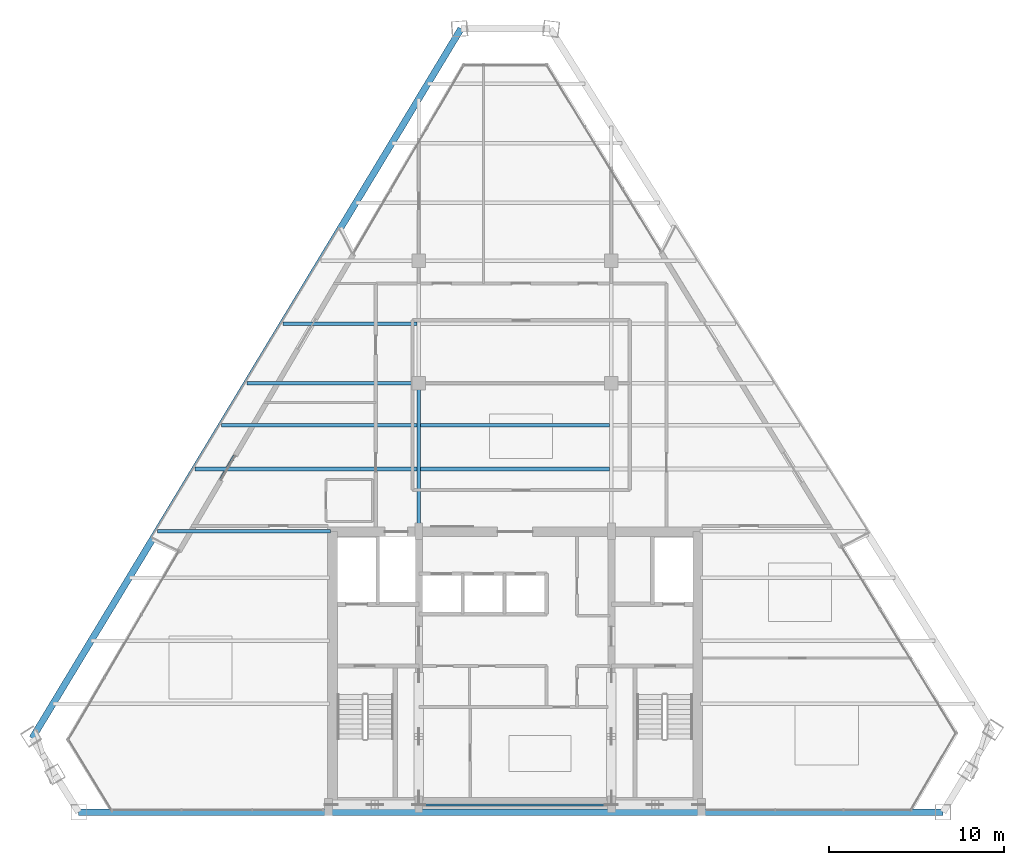
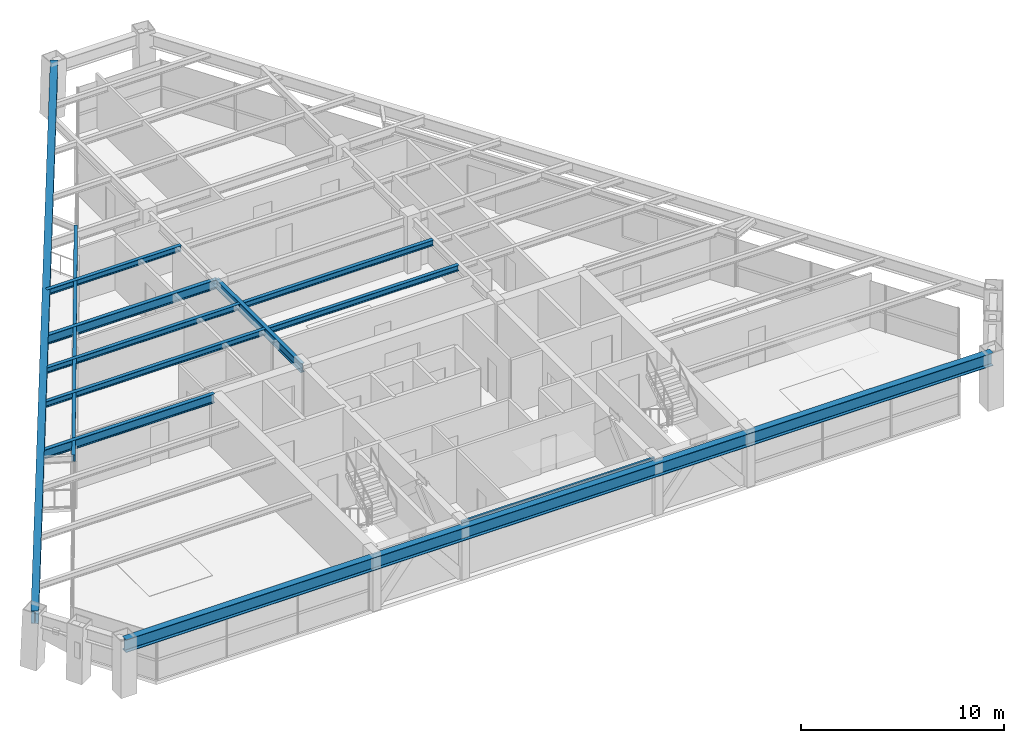
# One storey, part 3 of 13: 12 beams.
"""IFC4 building model written with IfcOpenShell, lengths in metres."""

import ifcopenshell
import ifcopenshell.guid

model = None  # the IFC model being written
_history = None  # IfcOwnerHistory: only IFC2X3 demands one
_inside = {}  # id of a spatial element -> (the spatial element, [elements in it])
_under = {}  # id of a project, library or spatial element -> (it, [spatial elements below it])
_declared = {}  # id of a project -> (the project, [libraries it declares])
_typed = {}  # id of a type object -> (the type object, [elements of that type])
_made_of = {}  # id of a material, layer set ... -> (it, [elements and type objects made of it])


def new_model(schema):
    """Start an empty IFC model of exactly this schema.

    Asked for "IFC4X3", IfcOpenShell would pick the latest addendum, in which some entities
    have other attributes; the version numbers below select the first issue.
    IFC2X3 requires an IfcOwnerHistory on every rooted entity: one is made here for all.
    """
    global model, _history
    if schema == "IFC4X3":
        model = ifcopenshell.file(schema_version=(4, 3, 0, 0))
    else:
        model = ifcopenshell.file(schema=schema)
    _inside.clear()
    _under.clear()
    _declared.clear()
    _typed.clear()
    _made_of.clear()
    _history = None
    if model.schema == "IFC2X3":
        org = make("IfcOrganization", Name="unknown")
        user = make(
            "IfcPersonAndOrganization",
            ThePerson=make("IfcPerson", FamilyName="unknown"),
            TheOrganization=org,
        )
        app = make(
            "IfcApplication",
            ApplicationDeveloper=org,
            Version="unknown",
            ApplicationFullName="unknown",
            ApplicationIdentifier="unknown",
        )
        _history = make(
            "IfcOwnerHistory",
            OwningUser=user,
            OwningApplication=app,
            ChangeAction="ADDED",
            CreationDate=0,
        )
    return model


def make(cls, **values):
    """One entity of the class cls with the attributes given. An attribute that is None is left unset."""
    return model.create_entity(
        cls, **{name: value for name, value in values.items() if value is not None}
    )


def rooted(cls, **values):
    """An entity with a GlobalId (a new one), such as an element, a storey or a relation."""
    return make(cls, GlobalId=ifcopenshell.guid.new(), OwnerHistory=_history, **values)


def si_unit(unit_type, name, prefix=None):
    """IfcSIUnit, for example si_unit("LENGTHUNIT", "METRE", prefix="MILLI")."""
    return make("IfcSIUnit", UnitType=unit_type, Prefix=prefix, Name=name)


def assignment(units):
    """IfcUnitAssignment: the units of a project."""
    return None if units is None else make("IfcUnitAssignment", Units=units)


def point(xyz):
    """IfcCartesianPoint."""
    return None if xyz is None else make("IfcCartesianPoint", Coordinates=xyz)


def direction(xyz):
    """IfcDirection."""
    return None if xyz is None else make("IfcDirection", DirectionRatios=xyz)


def frame(location, z_axis=None, x_axis=None):
    """IfcAxis2Placement3D, a coordinate frame: its origin and axes. An axis left out is left unset."""
    return make(
        "IfcAxis2Placement3D",
        Location=point(location),
        Axis=direction(z_axis),
        RefDirection=direction(x_axis),
    )


def frame_2d(location, x_axis=None):
    """IfcAxis2Placement2D, a coordinate frame in the plane: its origin and x axis."""
    return make(
        "IfcAxis2Placement2D", Location=point(location), RefDirection=direction(x_axis)
    )


def origin():
    """The frame at (0, 0, 0) with its axes left unset."""
    return frame((0.0, 0.0, 0.0))


def origin_2d():
    """The frame at (0, 0) in the plane with its x axis left unset."""
    return frame_2d((0.0, 0.0))


def place(relative_to, where):
    """IfcLocalPlacement: puts the frame where relative to a parent placement (None: the world)."""
    return make(
        "IfcLocalPlacement", PlacementRelTo=relative_to, RelativePlacement=where
    )


def context(
    kind, dimensions, precision=None, world=None, true_north=None, identifier=None
):
    """IfcGeometricRepresentationContext, for example the 3D "Model" context."""
    return make(
        "IfcGeometricRepresentationContext",
        ContextIdentifier=identifier,
        ContextType=kind,
        CoordinateSpaceDimension=dimensions,
        Precision=precision,
        WorldCoordinateSystem=world,
        TrueNorth=true_north,
    )


def subcontext(parent, identifier, kind, view, scale=None):
    """IfcGeometricRepresentationSubContext, for example "Body" below "Model"."""
    return make(
        "IfcGeometricRepresentationSubContext",
        ContextIdentifier=identifier,
        ContextType=kind,
        ParentContext=parent,
        TargetScale=scale,
        TargetView=view,
    )


def project(units=None, contexts=None):
    """IfcProject with its units and contexts."""
    return rooted(
        "IfcProject",
        Name="project",
        RepresentationContexts=contexts,
        UnitsInContext=assignment(units),
    )


def spatial(cls, under=None, at=None, **own):
    """A site, building, storey or space (cls), placed at a placement, below another one or the project."""
    s = rooted(cls, ObjectPlacement=at, **own)
    if under is not None:
        _under.setdefault(under.id(), (under, []))[1].append(s)
    return s


def profile(cls, at=None, kind="AREA", **sizes):
    """A parametric profile (cls). Its sizes go by their IFC names, for example OverallWidth=200.0."""
    return make(cls, ProfileType=kind, Position=at, **sizes)


def i_section(**sizes):
    """IfcIShapeProfileDef."""
    return profile("IfcIShapeProfileDef", **sizes)


def extrude(swept, where, along, depth):
    """IfcExtrudedAreaSolid: the profile swept, set in the frame where, extruded along a direction by depth."""
    return make(
        "IfcExtrudedAreaSolid",
        SweptArea=swept,
        Position=where,
        ExtrudedDirection=direction(along),
        Depth=depth,
    )


def shape(context_of_items, identifier, shape_type, items):
    """IfcShapeRepresentation: the items that make up one representation, for example the "Body"."""
    return make(
        "IfcShapeRepresentation",
        ContextOfItems=context_of_items,
        RepresentationIdentifier=identifier,
        RepresentationType=shape_type,
        Items=items,
    )


def source(mapping_origin, context_of_items, identifier, shape_type, items):
    """IfcRepresentationMap: a shape defined once, which mapped items show again and again."""
    return make(
        "IfcRepresentationMap",
        MappingOrigin=mapping_origin,
        MappedRepresentation=shape(context_of_items, identifier, shape_type, items),
    )


def transform(
    local_origin,
    x_axis=None,
    y_axis=None,
    z_axis=None,
    scale=None,
    scale2=None,
    scale3=None,
    uniform=True,
):
    """IfcCartesianTransformationOperator3D, or its non-uniform kind. x_axis, y_axis, z_axis: its Axis1, 2, 3."""
    if uniform:
        return make(
            "IfcCartesianTransformationOperator3D",
            Axis1=direction(x_axis),
            Axis2=direction(y_axis),
            LocalOrigin=point(local_origin),
            Scale=scale,
            Axis3=direction(z_axis),
        )
    return make(
        "IfcCartesianTransformationOperator3DnonUniform",
        Axis1=direction(x_axis),
        Axis2=direction(y_axis),
        LocalOrigin=point(local_origin),
        Scale=scale,
        Axis3=direction(z_axis),
        Scale2=scale2,
        Scale3=scale3,
    )


def mapped(mapping_source, mapping_target):
    """IfcMappedItem: shows the shape of a source again, moved by a transform."""
    return make(
        "IfcMappedItem", MappingSource=mapping_source, MappingTarget=mapping_target
    )


def material(Name=None, Category=None):
    """IfcMaterial."""
    return make("IfcMaterial", Name=Name, Category=Category)


def material_profile(
    of_material, cross_section, Name=None, Category=None, Priority=None
):
    """IfcMaterialProfile: a cross section and its material."""
    return make(
        "IfcMaterialProfile",
        Name=Name,
        Material=of_material,
        Profile=cross_section,
        Priority=Priority,
        Category=Category,
    )


def profile_set(profiles, Name=None, composite=None):
    """IfcMaterialProfileSet."""
    return make(
        "IfcMaterialProfileSet",
        Name=Name,
        MaterialProfiles=profiles,
        CompositeProfile=composite,
    )


def made_of(thing, what):
    """Note that an element or type object is made of a material, layer set ...; save() writes the relation."""
    if what is not None:
        _made_of.setdefault(what.id(), (what, []))[1].append(thing)
    return thing


def type_object(cls, material=None, **own):
    """A type object (cls), such as IfcWallType, which elements share."""
    return made_of(rooted(cls, **own), material)


def type_shapes(of_type, sources):
    """Give a type object the sources (RepresentationMaps) that its elements show as mapped items."""
    of_type.RepresentationMaps = sources


def element(
    cls,
    number,
    at=None,
    inside=None,
    cuts=None,
    type_object=None,
    material=None,
    context=None,
    identifier="Body",
    shape_type=None,
    held_by="IfcProductDefinitionShape",
    body=None,
    shapes=None,
    **own,
):
    """One element of the class cls, such as IfcWall. Its Tag is "e" and its number.

    at: its placement. inside: the storey or other place that contains it. cuts: it is an
    opening in that element (IfcRelVoidsElement). A single representation is given by context,
    identifier, shape_type and body (its items); several are given by shapes. held_by: the class
    of the entity that holds the representations. save() writes the other relations.
    """
    e = rooted(cls, Tag="e%d" % number, ObjectPlacement=at, **own)
    if body is not None:
        shapes = [shape(context, identifier, shape_type, body)]
    if shapes is not None:
        e.Representation = make(held_by, Representations=shapes)
    if inside is not None:
        _inside.setdefault(inside.id(), (inside, []))[1].append(e)
    if cuts is not None:
        rooted(
            "IfcRelVoidsElement", RelatingBuildingElement=cuts, RelatedOpeningElement=e
        )
    if type_object is not None:
        _typed.setdefault(type_object.id(), (type_object, []))[1].append(e)
    return made_of(e, material)


def aggregate(whole, parts):
    """IfcRelAggregates: a whole, such as a stair, and the parts it consists of."""
    return rooted("IfcRelAggregates", RelatingObject=whole, RelatedObjects=parts)


def save(model, path):
    """Write the relations noted so far, then the file.

    IfcRelAggregates (storeys below a building ...), IfcRelContainedInSpatialStructure (elements
    in a storey), IfcRelDefinesByType, IfcRelAssociatesMaterial and IfcRelDeclares: one each for
    every whole, place, type object, material and project.
    """
    for whole, parts in _under.values():
        aggregate(whole, parts)
    for where, things in _inside.values():
        rooted(
            "IfcRelContainedInSpatialStructure",
            RelatedElements=things,
            RelatingStructure=where,
        )
    for kind, things in _typed.values():
        rooted("IfcRelDefinesByType", RelatedObjects=things, RelatingType=kind)
    for what, things in _made_of.values():
        rooted("IfcRelAssociatesMaterial", RelatedObjects=things, RelatingMaterial=what)
    for by, libraries in _declared.values():
        rooted("IfcRelDeclares", RelatingContext=by, RelatedDefinitions=libraries)
    model.write(path)


model = new_model("IFC4")

# Units and contexts
model_context = context("Model", 3, precision=1e-05, world=origin(), true_north=direction((0.0, 1.0)))
body_context = subcontext(model_context, "Body", "Model", "MODEL_VIEW")
ifc_project = project(units=[si_unit("LENGTHUNIT", "METRE"), si_unit("AREAUNIT", "SQUARE_METRE"), si_unit("VOLUMEUNIT", "CUBIC_METRE"), si_unit("PLANEANGLEUNIT", "RADIAN"), si_unit("MASSUNIT", "GRAM", prefix="KILO")], contexts=[model_context])

# Site, building, storey
site_placement = place(None, origin())
site = spatial("IfcSite", under=ifc_project, at=site_placement, CompositionType="ELEMENT")
building_placement = place(site_placement, origin())
building = spatial("IfcBuilding", under=site, at=building_placement, Name="Varnakhor Terracotta Tower", CompositionType="ELEMENT")
storey_placement = place(building_placement, frame((0.0, 0.0, 247.60009765625)))
storey = spatial("IfcBuildingStorey", under=building, at=storey_placement, Name="L64", CompositionType="ELEMENT", Elevation=247.60009765625)

# Beams
ifc_material = material(Name="Steel S355", Category="steel")
ifc_material_profile_1 = material_profile(ifc_material, i_section(OverallWidth=0.1201171875, OverallDepth=0.239990234375, WebThickness=0.006103515625, FlangeThickness=0.009765625, FilletRadius=0.01806640625, at=origin_2d()), Name="IPE240")
ifc_profile_set_1 = profile_set([ifc_material_profile_1], Name="Steel S355")
beam_type_1 = type_object("IfcBeamType", Name="LNT-IPE240", PredefinedType="LINTEL", material=ifc_profile_set_1)
shared_shape_1 = source(origin(), body_context, "Body", "SweptSolid", [
    extrude(i_section(OverallWidth=0.1201171875, OverallDepth=0.239990234375, WebThickness=0.006103515625, FlangeThickness=0.009765625, FilletRadius=0.01806640625, at=origin_2d()), origin(), (0.0, 0.0, 1.0), 11.0),
])
type_shapes(beam_type_1, [shared_shape_1])
beam_1_placement = place(storey_placement, frame((-5.5, 0.419921875, 3.119873046875), z_axis=(1.0, 0.0, 0.0), x_axis=(0.0, 1.0, 0.0)))
element("IfcBeam", 1, at=beam_1_placement, inside=storey, type_object=beam_type_1, Name="L64 Core South Coupling Lintel", PredefinedType="LINTEL", context=body_context, shape_type="MappedRepresentation", body=[
    mapped(shared_shape_1, transform((0.0, 0.0, 0.0), scale=1.0)),
])
ifc_material_profile_2 = material_profile(ifc_material, i_section(OverallWidth=0.214111328125, OverallDepth=0.549072265625, WebThickness=0.014892578125, FlangeThickness=0.02392578125, FilletRadius=0.01806640625, at=origin_2d()), Name="W21X93")
ifc_profile_set_2 = profile_set([ifc_material_profile_2], Name="Steel S355")
beam_type_2 = type_object("IfcBeamType", Name="BM-W21X93", PredefinedType="BEAM", material=ifc_profile_set_2)
shared_shape_2 = source(origin(), body_context, "Body", "SweptSolid", [
    extrude(i_section(OverallWidth=0.214111328125, OverallDepth=0.549072265625, WebThickness=0.014892578125, FlangeThickness=0.02392578125, FilletRadius=0.01806640625, at=origin_2d()), origin(), (0.0, 0.0, 1.0), 8.449951171875),
])
type_shapes(beam_type_2, [shared_shape_2])
beam_2_placement = place(storey_placement, frame((-5.5, 16.050048828125, 2.96533203125), z_axis=(0.0, 1.0, 0.0), x_axis=(-1.0, 0.0, 0.0)))
element("IfcBeam", 2, at=beam_2_placement, inside=storey, type_object=beam_type_2, Name="L64 Primary Girder NS1-W", PredefinedType="BEAM", context=body_context, shape_type="MappedRepresentation", body=[
    mapped(shared_shape_2, transform((0.0, 0.0, 0.0), scale=1.0)),
])
ifc_material_profile_3 = material_profile(ifc_material, i_section(OverallWidth=0.202880859375, OverallDepth=0.346923828125, WebThickness=0.0078125, FlangeThickness=0.013427734375, FilletRadius=0.01806640625, at=origin_2d()), Name="W14X43")
ifc_profile_set_3 = profile_set([ifc_material_profile_3], Name="Steel S355")
beam_type_3 = type_object("IfcBeamType", Name="JST-W14X43", PredefinedType="JOIST", material=ifc_profile_set_3)
shared_shape_3 = source(origin(), body_context, "Body", "SweptSolid", [
    extrude(i_section(OverallWidth=0.202880859375, OverallDepth=0.346923828125, WebThickness=0.0078125, FlangeThickness=0.013427734375, FilletRadius=0.01806640625, at=origin_2d()), origin(), (0.0, 0.0, 1.0), 10.7939453125),
])
for number, where, z_axis, x_axis, name in (
    (3, (-5.39697265625, 19.60009765625, 3.06640625), (1.0, 0.0, 0.0), (0.0, 1.0, 0.0), "L64 Composite Floor Joist 4-2"),
    (4, (-5.39697265625, 22.10009765625, 3.06640625), (1.0, 0.0, 0.0), (0.0, 1.0, 0.0), "L64 Composite Floor Joist 5-2"),
):
    element("IfcBeam", number, at=place(storey_placement, frame(where, z_axis=z_axis, x_axis=x_axis)), inside=storey, type_object=beam_type_3, Name=name, PredefinedType="JOIST", context=body_context, shape_type="MappedRepresentation", body=[
        mapped(shared_shape_3, transform((0.0, 0.0, 0.0), scale=1.0)),
    ])
ifc_material_profile_4 = material_profile(ifc_material, i_section(OverallWidth=0.381103515625, OverallDepth=0.77294921875, WebThickness=0.01708984375, FlangeThickness=0.027099609375, FilletRadius=0.01806640625, at=origin_2d()), Name="W30X173")
ifc_profile_set_4 = profile_set([ifc_material_profile_4], Name="Steel S355")
beam_type_4 = type_object("IfcBeamType", Name="BM-W30X173", PredefinedType="BEAM", material=ifc_profile_set_4)
shared_shape_4 = source(origin(), body_context, "Body", "SweptSolid", [
    extrude(i_section(OverallWidth=0.381103515625, OverallDepth=0.77294921875, WebThickness=0.01708984375, FlangeThickness=0.027099609375, FilletRadius=0.01806640625, at=origin_2d()), origin(), (0.0, 0.0, 1.0), 49.36279296875),
])
beam_3_placement = place(storey_placement, frame((-24.921630859375, 0.0, 2.853515625), z_axis=(1.0, 0.0, 0.0), x_axis=(0.0, 1.0, 0.0)))
element("IfcBeam", 5, at=beam_3_placement, inside=storey, type_object=beam_type_4, Name="L64 Perimeter Spandrel 1", PredefinedType="BEAM", context=body_context, shape_type="MappedRepresentation", body=[
    mapped(shared_shape_4, transform((0.0, 0.0, 0.0), scale=1.0)),
])
shared_shape_5 = source(origin(), body_context, "Body", "SweptSolid", [
    extrude(i_section(OverallWidth=0.381103515625, OverallDepth=0.77294921875, WebThickness=0.01708984375, FlangeThickness=0.027099609375, FilletRadius=0.01806640625, at=origin_2d()), origin(), (0.0, 0.0, 1.0), 47.34716796875),
])
beam_4_placement = place(storey_placement, frame((-3.0859375, 44.7451171875, 2.853515625), z_axis=(-0.517263113158, -0.855826426191, 0.0), x_axis=(0.855826426191, -0.517263113158, 0.0)))
element("IfcBeam", 6, at=beam_4_placement, inside=storey, type_object=beam_type_4, Name="L64 Perimeter Spandrel 6", PredefinedType="BEAM", context=body_context, shape_type="MappedRepresentation", body=[
    mapped(shared_shape_5, transform((0.0, 0.0, 0.0), scale=1.0)),
])
ifc_material_profile_5 = material_profile(ifc_material, i_section(OverallWidth=0.179931640625, OverallDepth=0.39990234375, WebThickness=0.008544921875, FlangeThickness=0.013427734375, FilletRadius=0.01806640625, at=origin_2d()), Name="IPE400")
ifc_profile_set_5 = profile_set([ifc_material_profile_5], Name="Steel S355")
beam_type_5 = type_object("IfcBeamType", Name="JST-IPE400", PredefinedType="JOIST", material=ifc_profile_set_5)
shared_shape_6 = source(origin(), body_context, "Body", "SweptSolid", [
    extrude(i_section(OverallWidth=0.179931640625, OverallDepth=0.39990234375, WebThickness=0.008544921875, FlangeThickness=0.013427734375, FilletRadius=0.01806640625, at=origin_2d()), origin(), (0.0, 0.0, 1.0), 19.748291015625),
])
beam_5_placement = place(storey_placement, frame((-9.24658203125, 31.929931640625, 3.039794921875), z_axis=(-0.505038161151, -0.863097014119, 0.0), x_axis=(0.863097014119, -0.505038161151, 0.0)))
element("IfcBeam", 7, at=beam_5_placement, inside=storey, type_object=beam_type_5, Name="L64 Loggia Edge Beam 2", PredefinedType="JOIST", context=body_context, shape_type="MappedRepresentation", body=[
    mapped(shared_shape_6, transform((0.0, 0.0, 0.0), scale=1.0)),
])
shared_shape_7 = source(origin(), body_context, "Body", "SweptSolid", [
    extrude(i_section(OverallWidth=0.214111328125, OverallDepth=0.549072265625, WebThickness=0.014892578125, FlangeThickness=0.02392578125, FilletRadius=0.01806640625, at=origin_2d()), origin(), (0.0, 0.0, 1.0), 9.879150390625),
])
beam_6_placement = place(storey_placement, frame((-20.42919921875, 16.050048828125, 2.96533203125), z_axis=(1.0, 0.0, 0.0), x_axis=(0.0, 1.0, 0.0)))
element("IfcBeam", 8, at=beam_6_placement, inside=storey, type_object=beam_type_2, Name="L64 Wing Girder W", PredefinedType="BEAM", context=body_context, shape_type="MappedRepresentation", body=[
    mapped(shared_shape_7, transform((0.0, 0.0, 0.0), scale=1.0)),
])
shared_shape_8 = source(origin(), body_context, "Body", "SweptSolid", [
    extrude(i_section(OverallWidth=0.214111328125, OverallDepth=0.549072265625, WebThickness=0.014892578125, FlangeThickness=0.02392578125, FilletRadius=0.01806640625, at=origin_2d()), origin(), (0.0, 0.0, 1.0), 9.822021484375),
])
beam_7_placement = place(storey_placement, frame((-15.322021484375, 24.5, 2.96533203125), z_axis=(1.0, 0.0, 0.0), x_axis=(0.0, 1.0, 0.0)))
element("IfcBeam", 9, at=beam_7_placement, inside=storey, type_object=beam_type_2, Name="L64 Primary Girder EW2-1", PredefinedType="BEAM", context=body_context, shape_type="MappedRepresentation", body=[
    mapped(shared_shape_8, transform((0.0, 0.0, 0.0), scale=1.0)),
])
shared_shape_9 = source(origin(), body_context, "Body", "SweptSolid", [
    extrude(i_section(OverallWidth=0.202880859375, OverallDepth=0.346923828125, WebThickness=0.0078125, FlangeThickness=0.013427734375, FilletRadius=0.01806640625, at=origin_2d()), origin(), (0.0, 0.0, 1.0), 12.6806640625),
])
beam_8_placement = place(storey_placement, frame((-18.28369140625, 19.60009765625, 3.06640625), z_axis=(1.0, 0.0, 0.0), x_axis=(0.0, 1.0, 0.0)))
element("IfcBeam", 10, at=beam_8_placement, inside=storey, type_object=beam_type_3, Name="L64 Composite Floor Joist 4-1", PredefinedType="JOIST", context=body_context, shape_type="MappedRepresentation", body=[
    mapped(shared_shape_9, transform((0.0, 0.0, 0.0), scale=1.0)),
])
shared_shape_10 = source(origin(), body_context, "Body", "SweptSolid", [
    extrude(i_section(OverallWidth=0.202880859375, OverallDepth=0.346923828125, WebThickness=0.0078125, FlangeThickness=0.013427734375, FilletRadius=0.01806640625, at=origin_2d()), origin(), (0.0, 0.0, 1.0), 11.169677734375),
])
beam_9_placement = place(storey_placement, frame((-16.772705078125, 22.10009765625, 3.06640625), z_axis=(1.0, 0.0, 0.0), x_axis=(0.0, 1.0, 0.0)))
element("IfcBeam", 11, at=beam_9_placement, inside=storey, type_object=beam_type_3, Name="L64 Composite Floor Joist 5-1", PredefinedType="JOIST", context=body_context, shape_type="MappedRepresentation", body=[
    mapped(shared_shape_10, transform((0.0, 0.0, 0.0), scale=1.0)),
])
shared_shape_11 = source(origin(), body_context, "Body", "SweptSolid", [
    extrude(i_section(OverallWidth=0.202880859375, OverallDepth=0.346923828125, WebThickness=0.0078125, FlangeThickness=0.013427734375, FilletRadius=0.01806640625, at=origin_2d()), origin(), (0.0, 0.0, 1.0), 7.6640625),
])
beam_10_placement = place(storey_placement, frame((-13.26708984375, 27.89990234375, 3.06640625), z_axis=(1.0, 0.0, 0.0), x_axis=(0.0, 1.0, 0.0)))
element("IfcBeam", 12, at=beam_10_placement, inside=storey, type_object=beam_type_3, Name="L64 Composite Floor Joist 6-1", PredefinedType="JOIST", context=body_context, shape_type="MappedRepresentation", body=[
    mapped(shared_shape_11, transform((0.0, 0.0, 0.0), scale=1.0)),
])

save(model, "model.ifc")
